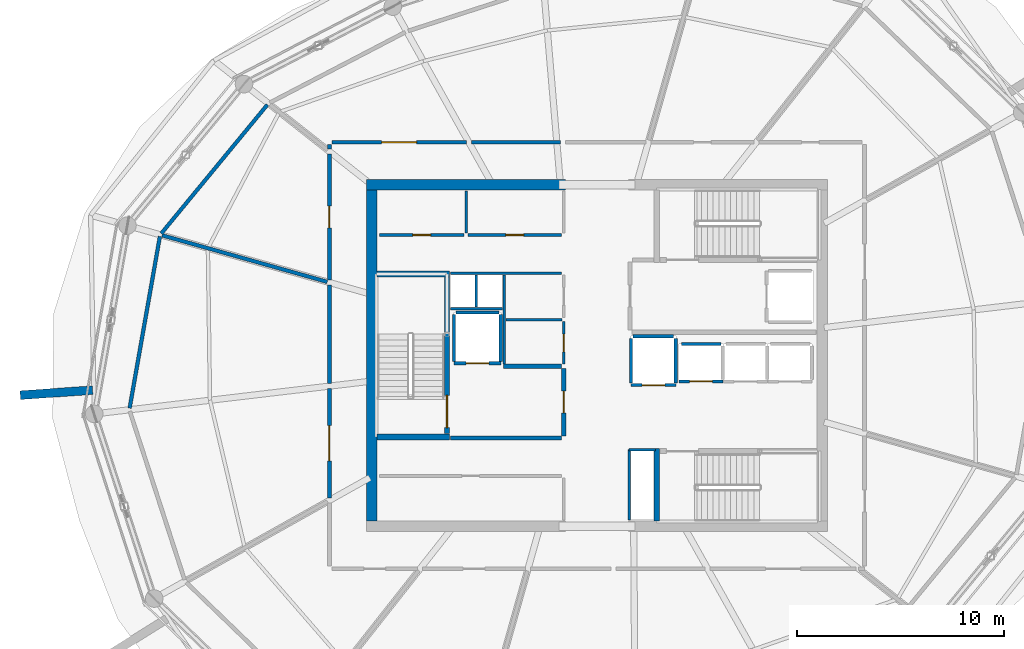
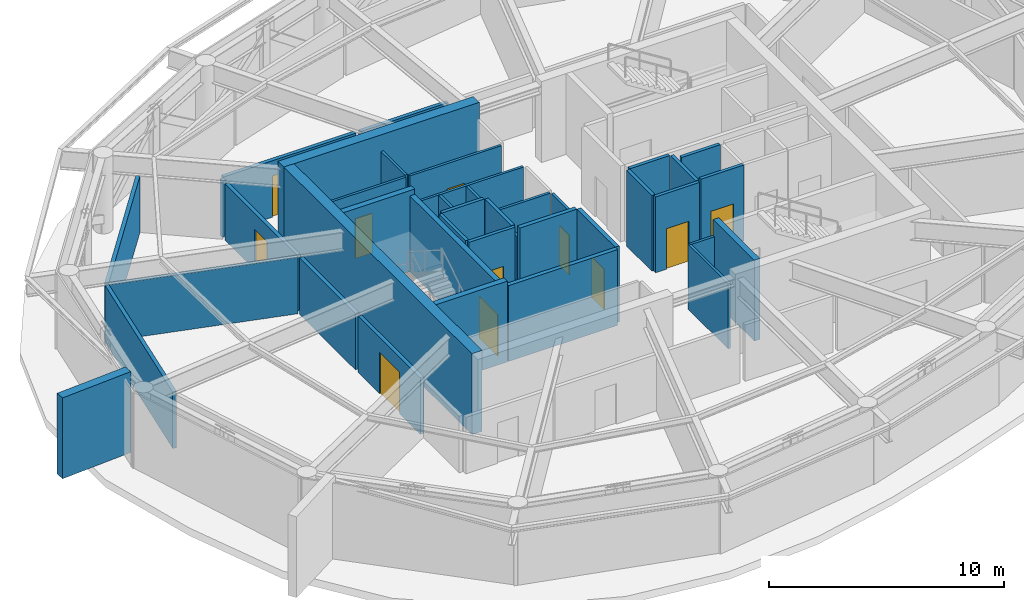
# One storey, part 11 of 14: 40 walls, 11 doors, 11 openings.
"""IFC4 building model written with IfcOpenShell, lengths in metres."""

from ifc_helpers import new_model, si_unit, direction, frame, frame_2d, origin, place, context, subcontext, project, spatial, rectangle, extrude, material, layer, layer_set, type_object, element, fill, save


model = new_model("IFC4")

# Units and contexts
model_context = context("Model", 3, precision=1e-05, world=origin(), true_north=direction((0.0, 1.0)))
body_context = subcontext(model_context, "Body", "Model", "MODEL_VIEW")
ifc_project = project(units=[si_unit("LENGTHUNIT", "METRE"), si_unit("AREAUNIT", "SQUARE_METRE"), si_unit("VOLUMEUNIT", "CUBIC_METRE"), si_unit("PLANEANGLEUNIT", "RADIAN"), si_unit("MASSUNIT", "GRAM", prefix="KILO")], contexts=[model_context])

# Site, building, storey
site_placement = place(None, origin())
site = spatial("IfcSite", under=ifc_project, at=site_placement, CompositionType="ELEMENT")
building_placement = place(site_placement, origin())
building = spatial("IfcBuilding", under=site, at=building_placement, Name="Kazma Halo Residences", CompositionType="ELEMENT")
storey_placement = place(building_placement, frame((0.0, 0.0, 343.10009765625)))
storey = spatial("IfcBuildingStorey", under=building, at=storey_placement, Name="L86", CompositionType="ELEMENT", Elevation=343.10009765625)

# Walls
ifc_material_1 = material(Name="Pale Concrete C60/75", Category="concrete")
ifc_layer_1 = layer(ifc_material_1, 0.419921875)
ifc_layer_set_1 = layer_set([ifc_layer_1], Name="Pale Concrete C60/75")
wall_type_1 = type_object("IfcWallType", Name="WL-BLADE-420", PredefinedType="SOLIDWALL", material=ifc_layer_set_1)
wall_1_placement = place(storey_placement, frame((24.05908203125, 40.325927734375, 0.0), z_axis=(0.0, 0.0, 1.0), x_axis=(-0.997564163539, -0.069754853754, 0.0)))
element("IfcWall", 1, at=wall_1_placement, inside=storey, type_object=wall_type_1, Name="L86 pale concrete structural blade fin wall BW-02", PredefinedType="SOLIDWALL", context=body_context, shape_type="SweptSolid", body=[
    extrude(rectangle(XDim=3.5, YDim=0.419921875, at=frame_2d((1.75, 0.0))), origin(), (0.0, 0.0, 1.0), 4.199951171875),
])
ifc_material_2 = material(Name="Concrete C60/75", Category="concrete")
ifc_layer_2 = layer(ifc_material_2, 0.5)
ifc_layer_set_2 = layer_set([ifc_layer_2], Name="Concrete C60/75")
wall_type_2 = type_object("IfcWallType", Name="WL-CORE-500", PredefinedType="SHEAR", material=ifc_layer_set_2)
wall_2_placement = place(storey_placement, frame((37.300048828125, 50.25, 0.0), z_axis=(0.0, 0.0, 1.0), x_axis=(1.0, 0.0, 0.0)))
element("IfcWall", 2, at=wall_2_placement, inside=storey, type_object=wall_type_2, Name="L86 central core shear wall NW", PredefinedType="SHEAR", context=body_context, shape_type="SweptSolid", body=[
    extrude(rectangle(XDim=9.599853515625, YDim=0.5, at=frame_2d((4.7998046875, 0.0))), origin(), (0.0, 0.0, 1.0), 4.199951171875),
])
wall_3_placement = place(storey_placement, frame((37.550048828125, 34.0, 0.0), z_axis=(0.0, 0.0, 1.0), x_axis=(0.0, 1.0, 0.0)))
element("IfcWall", 3, at=wall_3_placement, inside=storey, type_object=wall_type_2, Name="L86 central core shear wall W", PredefinedType="SHEAR", context=body_context, shape_type="SweptSolid", body=[
    extrude(rectangle(XDim=16.0, YDim=0.5, at=frame_2d((8.0, 0.0))), origin(), (0.0, 0.0, 1.0), 4.199951171875),
])
ifc_layer_3 = layer(ifc_material_2, 0.280029296875)
ifc_layer_set_3 = layer_set([ifc_layer_3], Name="Concrete C60/75")
wall_type_3 = type_object("IfcWallType", Name="WL-CORE-ST-280", PredefinedType="SHEAR", material=ifc_layer_set_3)
for number, where, z_axis, x_axis, name in (
    (4, (37.800048828125, 38.06005859375, 0.0), (0.0, 0.0, 1.0), (1.0, 0.0, 0.0), "L86 stairwell bearing wall ST01-S"),
    (5, (37.800048828125, 45.93994140625, 0.0), (0.0, 0.0, 1.0), (1.0, 0.0, 0.0), "L86 stairwell bearing wall ST01-N"),
    (6, (51.31005859375, 34.0, 0.0), (0.0, 0.0, 1.0), (0.0, 1.0, 0.0), "L86 stairwell bearing wall ST03-W"),
):
    element("IfcWall", number, at=place(storey_placement, frame(where, z_axis=z_axis, x_axis=x_axis)), inside=storey, type_object=wall_type_3, Name=name, PredefinedType="SHEAR", context=body_context, shape_type="SweptSolid", body=[
        extrude(rectangle(XDim=3.5, YDim=0.280029296875, at=frame_2d((1.75, 0.0))), origin(), (0.0, 0.0, 1.0), 4.199951171875),
    ])
ifc_material_3 = material(Name="Acoustic Twin-Stud Gypsum")
ifc_layer_4 = layer(ifc_material_3, 0.179931640625)
ifc_layer_set_4 = layer_set([ifc_layer_4], Name="Acoustic Twin-Stud Gypsum")
wall_type_4 = type_object("IfcWallType", Name="WL-DEM-180", PredefinedType="PARTITIONING", material=ifc_layer_set_4)
wall_4_placement = place(storey_placement, frame((32.50390625, 54.1142578125, 0.0), z_axis=(0.0, 0.0, 1.0), x_axis=(-0.635999094609, -0.771689802743, 0.0)))
element("IfcWall", 7, at=wall_4_placement, inside=storey, type_object=wall_type_4, Name="L86 refuge acoustic perimeter wall 05", PredefinedType="PARTITIONING", context=body_context, shape_type="SweptSolid", body=[
    extrude(rectangle(XDim=8.0625, YDim=0.179931640625, at=frame_2d((4.03125, 0.0))), origin(), (0.0, 0.0, 1.0), 2.932861328125),
])
wall_5_placement = place(storey_placement, frame((27.3115234375, 47.751953125, 0.0), z_axis=(0.0, 0.0, 1.0), x_axis=(-0.173644811024, -0.984808346636, 0.0)))
element("IfcWall", 8, at=wall_5_placement, inside=storey, type_object=wall_type_4, Name="L86 refuge acoustic perimeter wall 06", PredefinedType="PARTITIONING", context=body_context, shape_type="SweptSolid", body=[
    extrude(rectangle(XDim=8.424560546875, YDim=0.179931640625, at=frame_2d((4.21240234375, 0.0))), origin(), (0.0, 0.0, 1.0), 2.932861328125),
])
wall_6_placement = place(storey_placement, frame((46.660888671875, 52.300048828125, 0.0), z_axis=(0.0, 0.0, 1.0), x_axis=(-1.0, 0.0, 0.0)))
element("IfcWall", 9, at=wall_6_placement, inside=storey, type_object=wall_type_4, Name="L86 L86 East Refuge Area corridor wall", PredefinedType="PARTITIONING", context=body_context, shape_type="SweptSolid", body=[
    extrude(rectangle(XDim=4.30908203125, YDim=0.179931640625, at=frame_2d((2.154541015625, 0.0))), origin(), (0.0, 0.0, 1.0), 2.932861328125),
])

# Wall, opening, door
wall_7_placement = place(storey_placement, frame((42.11181640625, 52.300048828125, 0.0), z_axis=(0.0, 0.0, 1.0), x_axis=(-1.0, 0.0, 0.0)))
wall_7 = element("IfcWall", 10, at=wall_7_placement, inside=storey, type_object=wall_type_4, Name="L86 L86 East Refuge Area corridor wall", PredefinedType="PARTITIONING", context=body_context, shape_type="SweptSolid", body=[
    extrude(rectangle(XDim=6.49169921875, YDim=0.179931640625, at=frame_2d((3.245849609375, 0.0))), origin(), (0.0, 0.0, 1.0), 2.932861328125),
])
opening_1_placement = place(wall_7_placement, frame((2.39599609375, 0.0, 0.0)))
opening_1 = element("IfcOpeningElement", 11, at=opening_1_placement, cuts=wall_7, Name="Opening DL-1800", PredefinedType="OPENING", context=body_context, shape_type="SweptSolid", body=[
    extrude(rectangle(XDim=1.699951171875, YDim=2.14990234375, at=frame_2d((0.85009765625, 1.074951171875))), frame((0.0, 0.099853515625, 0.0), z_axis=(0.0, -1.0, 0.0), x_axis=(1.0, 0.0, 0.0)), (0.0, 0.0, 1.0), 0.199951171875),
])
ifc_material_4 = material(Name="Glazed Aluminium Double Leaf", Category="aluminium")
door_type_1 = type_object("IfcDoorType", Name="DR-LGE-1800", OperationType="NOTDEFINED", PredefinedType="DOOR", material=ifc_material_4)
door_1_placement = place(opening_1_placement, origin())
door_1 = element("IfcDoor", 12, at=door_1_placement, inside=storey, type_object=door_type_1, Name="L86 L86 East Refuge Area door", OperationType="DOUBLE_DOOR_SINGLE_SWING", OverallHeight=2.14990234375, OverallWidth=1.699951171875, PredefinedType="DOOR", context=body_context, shape_type="SweptSolid", body=[
    extrude(rectangle(XDim=1.699951171875, YDim=2.14990234375, at=frame_2d((0.85009765625, 1.074951171875))), frame((0.0, 0.02490234375, 0.0), z_axis=(0.0, -1.0, 0.0), x_axis=(1.0, 0.0, 0.0)), (0.0, 0.0, 1.0), 0.050048828125),
])
fill(opening_1, door_1)

# Wall
wall_8_placement = place(storey_placement, frame((35.5, 52.179931640625, 0.0), z_axis=(0.0, 0.0, 1.0), x_axis=(0.0, -1.0, 0.0)))
element("IfcWall", 13, at=wall_8_placement, inside=storey, type_object=wall_type_4, Name="L86 L86 East Refuge Area corridor wall", PredefinedType="PARTITIONING", context=body_context, shape_type="SweptSolid", body=[
    extrude(rectangle(XDim=0.205810546875, YDim=0.179931640625, at=frame_2d((0.10302734375, 0.0))), origin(), (0.0, 0.0, 1.0), 2.932861328125),
])

# Wall, opening, door
wall_9_placement = place(storey_placement, frame((35.5, 51.734130859375, 0.0), z_axis=(0.0, 0.0, 1.0), x_axis=(0.0, -1.0, 0.0)))
wall_9 = element("IfcWall", 14, at=wall_9_placement, inside=storey, type_object=wall_type_4, Name="L86 L86 Chiller Cooling Plant Room corridor wall", PredefinedType="PARTITIONING", context=body_context, shape_type="SweptSolid", body=[
    extrude(rectangle(XDim=6.088623046875, YDim=0.179931640625, at=frame_2d((3.04443359375, 0.0))), origin(), (0.0, 0.0, 1.0), 2.932861328125),
])
opening_2_placement = place(wall_9_placement, frame((2.519287109375, 0.0, 0.0)))
opening_2 = element("IfcOpeningElement", 15, at=opening_2_placement, cuts=wall_9, Name="Opening DF-1050", PredefinedType="OPENING", context=body_context, shape_type="SweptSolid", body=[
    extrude(rectangle(XDim=1.050048828125, YDim=2.10009765625, at=frame_2d((0.52490234375, 1.050048828125))), frame((0.0, 0.099853515625, 0.0), z_axis=(0.0, -1.0, 0.0), x_axis=(1.0, 0.0, 0.0)), (0.0, 0.0, 1.0), 0.199951171875),
])
ifc_material_5 = material(Name="Fire-Rated Steel Leaf", Category="steel")
door_type_2 = type_object("IfcDoorType", Name="DR-FD90-1050", OperationType="NOTDEFINED", PredefinedType="DOOR", material=ifc_material_5)
door_2_placement = place(opening_2_placement, origin())
door_2 = element("IfcDoor", 16, at=door_2_placement, inside=storey, type_object=door_type_2, Name="L86 L86 Chiller Cooling Plant Room door", OperationType="SINGLE_SWING_LEFT", OverallHeight=2.10009765625, OverallWidth=1.050048828125, PredefinedType="DOOR", context=body_context, shape_type="SweptSolid", body=[
    extrude(rectangle(XDim=1.050048828125, YDim=2.10009765625, at=frame_2d((0.52490234375, 1.050048828125))), frame((0.0, 0.02490234375, 0.0), z_axis=(0.0, -1.0, 0.0), x_axis=(1.0, 0.0, 0.0)), (0.0, 0.0, 1.0), 0.050048828125),
])
fill(opening_2, door_2)

# Walls
wall_10_placement = place(storey_placement, frame((35.39404296875, 45.555419921875, 0.0), z_axis=(0.0, 0.0, 1.0), x_axis=(-0.962460337435, 0.2714223625, 0.0)))
element("IfcWall", 17, at=wall_10_placement, inside=storey, type_object=wall_type_4, Name="L86 radial partition wall 06", PredefinedType="PARTITIONING", context=body_context, shape_type="SweptSolid", body=[
    extrude(rectangle(XDim=8.283447265625, YDim=0.179931640625, at=frame_2d((4.1416015625, 0.0))), origin(), (0.0, 0.0, 1.0), 2.932861328125),
])
wall_11_placement = place(storey_placement, frame((35.5, 45.405517578125, 0.0), z_axis=(0.0, 0.0, 1.0), x_axis=(0.0, -1.0, 0.0)))
element("IfcWall", 18, at=wall_11_placement, inside=storey, type_object=wall_type_4, Name="L86 L86 North Refuge Area corridor wall", PredefinedType="PARTITIONING", context=body_context, shape_type="SweptSolid", body=[
    extrude(rectangle(XDim=4.76513671875, YDim=0.179931640625, at=frame_2d((2.382568359375, 0.0))), origin(), (0.0, 0.0, 1.0), 2.932861328125),
])

# Wall, opening, door
wall_12_placement = place(storey_placement, frame((35.5, 40.400390625, 0.0), z_axis=(0.0, 0.0, 1.0), x_axis=(0.0, -1.0, 0.0)))
wall_12 = element("IfcWall", 19, at=wall_12_placement, inside=storey, type_object=wall_type_4, Name="L86 L86 North Refuge Area corridor wall", PredefinedType="PARTITIONING", context=body_context, shape_type="SweptSolid", body=[
    extrude(rectangle(XDim=5.28076171875, YDim=0.179931640625, at=frame_2d((2.640380859375, 0.0))), origin(), (0.0, 0.0, 1.0), 2.932861328125),
])
opening_3_placement = place(wall_12_placement, frame((1.790283203125, 0.0, 0.0)))
opening_3 = element("IfcOpeningElement", 20, at=opening_3_placement, cuts=wall_12, Name="Opening DL-1800", PredefinedType="OPENING", context=body_context, shape_type="SweptSolid", body=[
    extrude(rectangle(XDim=1.699951171875, YDim=2.14990234375, at=frame_2d((0.85009765625, 1.074951171875))), frame((0.0, 0.099853515625, 0.0), z_axis=(0.0, -1.0, 0.0), x_axis=(1.0, 0.0, 0.0)), (0.0, 0.0, 1.0), 0.199951171875),
])
door_3_placement = place(opening_3_placement, origin())
door_3 = element("IfcDoor", 21, at=door_3_placement, inside=storey, type_object=door_type_1, Name="L86 L86 North Refuge Area door", OperationType="DOUBLE_DOOR_SINGLE_SWING", OverallHeight=2.14990234375, OverallWidth=1.699951171875, PredefinedType="DOOR", context=body_context, shape_type="SweptSolid", body=[
    extrude(rectangle(XDim=1.699951171875, YDim=2.14990234375, at=frame_2d((0.85009765625, 1.074951171875))), frame((0.0, 0.02490234375, 0.0), z_axis=(0.0, -1.0, 0.0), x_axis=(1.0, 0.0, 0.0)), (0.0, 0.0, 1.0), 0.050048828125),
])
fill(opening_3, door_3)

ifc_material_6 = material(Name="Fire-Rated Blockwork Masonry", Category="masonry")
ifc_layer_5 = layer(ifc_material_6, 0.199951171875)
ifc_layer_set_5 = layer_set([ifc_layer_5], Name="Fire-Rated Blockwork Masonry")
wall_type_5 = type_object("IfcWallType", Name="WL-FLB-200", PredefinedType="PARTITIONING", material=ifc_layer_set_5)
wall_13_placement = place(storey_placement, frame((54.5048828125, 40.7451171875, 0.0), z_axis=(0.0, 0.0, 1.0), x_axis=(-1.0, 0.0, 0.0)))
wall_13 = element("IfcWall", 22, at=wall_13_placement, inside=storey, type_object=wall_type_5, Name="L86 lift shaft PH-01 front wall", PredefinedType="PARTITIONING", context=body_context, shape_type="SweptSolid", body=[
    extrude(rectangle(XDim=2.10986328125, YDim=0.159912109375, at=frame_2d((1.054931640625, 0.0))), origin(), (0.0, 0.0, 1.0), 3.93994140625),
])
opening_4_placement = place(wall_13_placement, frame((0.5048828125, 0.0, 0.0)))
opening_4 = element("IfcOpeningElement", 23, at=opening_4_placement, cuts=wall_13, Name="Opening LD-PH-01", PredefinedType="OPENING", context=body_context, shape_type="SweptSolid", body=[
    extrude(rectangle(XDim=1.10009765625, YDim=2.10009765625, at=frame_2d((0.550048828125, 1.050048828125))), frame((0.0, 0.08984375, 0.0), z_axis=(0.0, -1.0, 0.0), x_axis=(1.0, 0.0, 0.0)), (0.0, 0.0, 1.0), 0.179931640625),
])
ifc_material_7 = material(Name="Stainless Steel Fire-Rated", Category="steel")
door_type_3 = type_object("IfcDoorType", Name="DR-LIFT-SLD-1100", OperationType="DOUBLE_DOOR_SLIDING", PredefinedType="DOOR", material=ifc_material_7)
door_4_placement = place(opening_4_placement, origin())
door_4 = element("IfcDoor", 24, at=door_4_placement, inside=storey, type_object=door_type_3, Name="L86 lift PH-01 sliding landing door", OperationType="DOUBLE_DOOR_SLIDING", OverallHeight=2.10009765625, OverallWidth=1.10009765625, PredefinedType="DOOR", context=body_context, shape_type="SweptSolid", body=[
    extrude(rectangle(XDim=1.10009765625, YDim=2.10009765625, at=frame_2d((0.550048828125, 1.050048828125))), frame((0.0, 0.02490234375, 0.0), z_axis=(0.0, -1.0, 0.0), x_axis=(1.0, 0.0, 0.0)), (0.0, 0.0, 1.0), 0.050048828125),
])
fill(opening_4, door_4)

# Wall
wall_14_placement = place(storey_placement, frame((52.4951171875, 42.554931640625, 0.0), z_axis=(0.0, 0.0, 1.0), x_axis=(1.0, 0.0, 0.0)))
element("IfcWall", 25, at=wall_14_placement, inside=storey, type_object=wall_type_5, Name="L86 lift shaft PH-01 side wall N", PredefinedType="PARTITIONING", context=body_context, shape_type="SweptSolid", body=[
    extrude(rectangle(XDim=1.909912109375, YDim=0.159912109375, at=frame_2d((0.955078125, 0.0))), origin(), (0.0, 0.0, 1.0), 3.93994140625),
])

# Wall, opening, door
wall_15_placement = place(storey_placement, frame((43.780029296875, 41.6201171875, 0.0), z_axis=(0.0, 0.0, 1.0), x_axis=(-1.0, 0.0, 0.0)))
wall_15 = element("IfcWall", 26, at=wall_15_placement, inside=storey, type_object=wall_type_5, Name="L86 lift shaft FL-01 front wall", PredefinedType="PARTITIONING", context=body_context, shape_type="SweptSolid", body=[
    extrude(rectangle(XDim=2.260009765625, YDim=0.159912109375, at=frame_2d((1.1298828125, 0.0))), origin(), (0.0, 0.0, 1.0), 3.93994140625),
])
opening_5_placement = place(wall_15_placement, frame((0.580078125, 0.0, 0.0)))
opening_5 = element("IfcOpeningElement", 27, at=opening_5_placement, cuts=wall_15, Name="Opening LD-FL-01", PredefinedType="OPENING", context=body_context, shape_type="SweptSolid", body=[
    extrude(rectangle(XDim=1.10009765625, YDim=2.10009765625, at=frame_2d((0.550048828125, 1.050048828125))), frame((0.0, 0.08984375, 0.0), z_axis=(0.0, -1.0, 0.0), x_axis=(1.0, 0.0, 0.0)), (0.0, 0.0, 1.0), 0.179931640625),
])
door_5_placement = place(opening_5_placement, origin())
door_5 = element("IfcDoor", 28, at=door_5_placement, inside=storey, type_object=door_type_3, Name="L86 lift FL-01 sliding landing door", OperationType="DOUBLE_DOOR_SLIDING", OverallHeight=2.10009765625, OverallWidth=1.10009765625, PredefinedType="DOOR", context=body_context, shape_type="SweptSolid", body=[
    extrude(rectangle(XDim=1.10009765625, YDim=2.10009765625, at=frame_2d((0.550048828125, 1.050048828125))), frame((0.0, 0.02490234375, 0.0), z_axis=(0.0, -1.0, 0.0), x_axis=(1.0, 0.0, 0.0)), (0.0, 0.0, 1.0), 0.050048828125),
])
fill(opening_5, door_5)

# Walls
for number, where, z_axis, x_axis, name in (
    (29, (43.780029296875, 41.719970703125, 0.0), (0.0, 0.0, 1.0), (0.0, 1.0, 0.0), "L86 lift shaft FL-01 side wall E"),
    (30, (41.52001953125, 41.719970703125, 0.0), (0.0, 0.0, 1.0), (0.0, 1.0, 0.0), "L86 lift shaft FL-01 side wall W"),
):
    element("IfcWall", number, at=place(storey_placement, frame(where, z_axis=z_axis, x_axis=x_axis)), inside=storey, type_object=wall_type_5, Name=name, PredefinedType="PARTITIONING", context=body_context, shape_type="SweptSolid", body=[
        extrude(rectangle(XDim=2.260009765625, YDim=0.159912109375, at=frame_2d((1.1298828125, 0.0))), origin(), (0.0, 0.0, 1.0), 3.93994140625),
    ])
wall_16_placement = place(storey_placement, frame((41.6201171875, 44.080078125, 0.0), z_axis=(0.0, 0.0, 1.0), x_axis=(1.0, 0.0, 0.0)))
element("IfcWall", 31, at=wall_16_placement, inside=storey, type_object=wall_type_5, Name="L86 lift shaft FL-01 side wall N", PredefinedType="PARTITIONING", context=body_context, shape_type="SweptSolid", body=[
    extrude(rectangle(XDim=2.059814453125, YDim=0.159912109375, at=frame_2d((1.02978515625, 0.0))), origin(), (0.0, 0.0, 1.0), 3.93994140625),
])

# Wall, opening, door
wall_17_placement = place(storey_placement, frame((52.22998046875, 40.570068359375, 0.0), z_axis=(0.0, 0.0, 1.0), x_axis=(-1.0, 0.0, 0.0)))
wall_17 = element("IfcWall", 32, at=wall_17_placement, inside=storey, type_object=wall_type_5, Name="L86 lift shaft SV-01 front wall", PredefinedType="PARTITIONING", context=body_context, shape_type="SweptSolid", body=[
    extrude(rectangle(XDim=2.159912109375, YDim=0.159912109375, at=frame_2d((1.080078125, 0.0))), origin(), (0.0, 0.0, 1.0), 3.93994140625),
])
opening_6_placement = place(wall_17_placement, frame((0.530029296875, 0.0, 0.0)))
opening_6 = element("IfcOpeningElement", 33, at=opening_6_placement, cuts=wall_17, Name="Opening LD-SV-01", PredefinedType="OPENING", context=body_context, shape_type="SweptSolid", body=[
    extrude(rectangle(XDim=1.10009765625, YDim=2.10009765625, at=frame_2d((0.550048828125, 1.050048828125))), frame((0.0, 0.08984375, 0.0), z_axis=(0.0, -1.0, 0.0), x_axis=(1.0, 0.0, 0.0)), (0.0, 0.0, 1.0), 0.179931640625),
])
door_6_placement = place(opening_6_placement, origin())
door_6 = element("IfcDoor", 34, at=door_6_placement, inside=storey, type_object=door_type_3, Name="L86 lift SV-01 sliding landing door", OperationType="DOUBLE_DOOR_SLIDING", OverallHeight=2.10009765625, OverallWidth=1.10009765625, PredefinedType="DOOR", context=body_context, shape_type="SweptSolid", body=[
    extrude(rectangle(XDim=1.10009765625, YDim=2.10009765625, at=frame_2d((0.550048828125, 1.050048828125))), frame((0.0, 0.02490234375, 0.0), z_axis=(0.0, -1.0, 0.0), x_axis=(1.0, 0.0, 0.0)), (0.0, 0.0, 1.0), 0.050048828125),
])
fill(opening_6, door_6)

# Walls
for number, where, z_axis, x_axis, name in (
    (35, (52.22998046875, 40.669921875, 0.0), (0.0, 0.0, 1.0), (0.0, 1.0, 0.0), "L86 lift shaft SV-01 side wall E"),
    (36, (50.070068359375, 40.669921875, 0.0), (0.0, 0.0, 1.0), (0.0, 1.0, 0.0), "L86 lift shaft SV-01 side wall W"),
):
    element("IfcWall", number, at=place(storey_placement, frame(where, z_axis=z_axis, x_axis=x_axis)), inside=storey, type_object=wall_type_5, Name=name, PredefinedType="PARTITIONING", context=body_context, shape_type="SweptSolid", body=[
        extrude(rectangle(XDim=2.16015625, YDim=0.159912109375, at=frame_2d((1.080078125, 0.0))), origin(), (0.0, 0.0, 1.0), 3.93994140625),
    ])
wall_18_placement = place(storey_placement, frame((50.169921875, 42.929931640625, 0.0), z_axis=(0.0, 0.0, 1.0), x_axis=(1.0, 0.0, 0.0)))
element("IfcWall", 37, at=wall_18_placement, inside=storey, type_object=wall_type_5, Name="L86 lift shaft SV-01 side wall N", PredefinedType="PARTITIONING", context=body_context, shape_type="SweptSolid", body=[
    extrude(rectangle(XDim=1.9599609375, YDim=0.159912109375, at=frame_2d((0.97998046875, 0.0))), origin(), (0.0, 0.0, 1.0), 3.93994140625),
])
wall_19_placement = place(storey_placement, frame((41.35009765625, 38.02001953125, 0.0), z_axis=(0.0, 0.0, 1.0), x_axis=(1.0, 0.0, 0.0)))
element("IfcWall", 38, at=wall_19_placement, inside=storey, type_object=wall_type_5, Name="L86 west firefighting lobby south smoke wall", PredefinedType="PARTITIONING", context=body_context, shape_type="SweptSolid", body=[
    extrude(rectangle(XDim=5.369873046875, YDim=0.199951171875, at=frame_2d((2.68505859375, 0.0))), origin(), (0.0, 0.0, 1.0), 3.93994140625),
])
wall_20_placement = place(storey_placement, frame((43.919921875, 41.47998046875, 0.0), z_axis=(0.0, 0.0, 1.0), x_axis=(1.0, 0.0, 0.0)))
element("IfcWall", 39, at=wall_20_placement, inside=storey, type_object=wall_type_5, Name="L86 west firefighting lobby north smoke wall", PredefinedType="PARTITIONING", context=body_context, shape_type="SweptSolid", body=[
    extrude(rectangle(XDim=2.800048828125, YDim=0.199951171875, at=frame_2d((1.39990234375, 0.0))), origin(), (0.0, 0.0, 1.0), 3.93994140625),
])

# Wall, opening, door
wall_21_placement = place(storey_placement, frame((46.820068359375, 38.1201171875, 0.0), z_axis=(0.0, 0.0, 1.0), x_axis=(0.0, 1.0, 0.0)))
wall_21 = element("IfcWall", 40, at=wall_21_placement, inside=storey, type_object=wall_type_5, Name="L86 west firefighting lobby smoke wall", PredefinedType="PARTITIONING", context=body_context, shape_type="SweptSolid", body=[
    extrude(rectangle(XDim=3.259765625, YDim=0.199951171875, at=frame_2d((1.6298828125, 0.0))), origin(), (0.0, 0.0, 1.0), 3.93994140625),
])
opening_7_placement = place(wall_21_placement, frame((1.10498046875, 0.0, 0.0)))
opening_7 = element("IfcOpeningElement", 41, at=opening_7_placement, cuts=wall_21, Name="Opening D-FLW", PredefinedType="OPENING", context=body_context, shape_type="SweptSolid", body=[
    extrude(rectangle(XDim=1.050048828125, YDim=2.10009765625, at=frame_2d((0.52490234375, 1.050048828125))), frame((0.0, 0.10986328125, 0.0), z_axis=(0.0, -1.0, 0.0), x_axis=(1.0, 0.0, 0.0)), (0.0, 0.0, 1.0), 0.219970703125),
])
door_7_placement = place(opening_7_placement, origin())
door_7 = element("IfcDoor", 42, at=door_7_placement, inside=storey, type_object=door_type_2, Name="L86 west firefighting lobby smoke door", OperationType="SINGLE_SWING_LEFT", OverallHeight=2.10009765625, OverallWidth=1.050048828125, PredefinedType="DOOR", context=body_context, shape_type="SweptSolid", body=[
    extrude(rectangle(XDim=1.050048828125, YDim=2.10009765625, at=frame_2d((0.52490234375, 1.050048828125))), frame((0.0, 0.02490234375, 0.0), z_axis=(0.0, -1.0, 0.0), x_axis=(1.0, 0.0, 0.0)), (0.0, 0.0, 1.0), 0.050048828125),
])
fill(opening_7, door_7)

# Wall
ifc_material_8 = material(Name="Gypsum Plasterboard Partition")
ifc_layer_6 = layer(ifc_material_8, 0.125)
ifc_layer_set_6 = layer_set([ifc_layer_6], Name="Gypsum Plasterboard Partition")
wall_type_6 = type_object("IfcWallType", Name="WL-PART-125", PredefinedType="PARTITIONING", material=ifc_layer_set_6)
wall_22_placement = place(storey_placement, frame((42.10009765625, 47.919921875, 0.0), z_axis=(0.0, 0.0, 1.0), x_axis=(0.0, 1.0, 0.0)))
element("IfcWall", 43, at=wall_22_placement, inside=storey, type_object=wall_type_6, Name="L86 reclaimed north divider wall", PredefinedType="PARTITIONING", context=body_context, shape_type="SweptSolid", body=[
    extrude(rectangle(XDim=2.030029296875, YDim=0.125, at=frame_2d((1.01513671875, 0.0))), origin(), (0.0, 0.0, 1.0), 3.3798828125),
])

# Wall, opening, door
wall_23_placement = place(storey_placement, frame((37.919921875, 47.820068359375, 0.0), z_axis=(0.0, 0.0, 1.0), x_axis=(1.0, 0.0, 0.0)))
wall_23 = element("IfcWall", 44, at=wall_23_placement, inside=storey, type_object=wall_type_6, Name="L86 reclaimed north W front wall", PredefinedType="PARTITIONING", context=body_context, shape_type="SweptSolid", body=[
    extrude(rectangle(XDim=4.080078125, YDim=0.125, at=frame_2d((2.0400390625, 0.0))), origin(), (0.0, 0.0, 1.0), 3.3798828125),
])
opening_8_placement = place(wall_23_placement, frame((1.614990234375, 0.0, 0.0)))
opening_8 = element("IfcOpeningElement", 45, at=opening_8_placement, cuts=wall_23, Name="Opening DS-850", PredefinedType="OPENING", context=body_context, shape_type="SweptSolid", body=[
    extrude(rectangle(XDim=0.85009765625, YDim=2.06005859375, at=frame_2d((0.425048828125, 1.030029296875))), frame((0.0, 0.072509765625, 0.0), z_axis=(0.0, -1.0, 0.0), x_axis=(1.0, 0.0, 0.0)), (0.0, 0.0, 1.0), 0.14501953125),
])
ifc_material_9 = material(Name="Painted Steel Access Leaf", Category="steel")
door_type_4 = type_object("IfcDoorType", Name="DR-SVC-850", OperationType="NOTDEFINED", PredefinedType="DOOR", material=ifc_material_9)
door_8_placement = place(opening_8_placement, origin())
door_8 = element("IfcDoor", 46, at=door_8_placement, inside=storey, type_object=door_type_4, Name="L86 reclaimed north W door", OperationType="SINGLE_SWING_RIGHT", OverallHeight=2.06005859375, OverallWidth=0.85009765625, PredefinedType="DOOR", context=body_context, shape_type="SweptSolid", body=[
    extrude(rectangle(XDim=0.85009765625, YDim=2.06005859375, at=frame_2d((0.425048828125, 1.030029296875))), frame((0.0, 0.02490234375, 0.0), z_axis=(0.0, -1.0, 0.0), x_axis=(1.0, 0.0, 0.0)), (0.0, 0.0, 1.0), 0.050048828125),
])
fill(opening_8, door_8)

wall_24_placement = place(storey_placement, frame((42.199951171875, 47.820068359375, 0.0), z_axis=(0.0, 0.0, 1.0), x_axis=(1.0, 0.0, 0.0)))
wall_24 = element("IfcWall", 47, at=wall_24_placement, inside=storey, type_object=wall_type_6, Name="L86 reclaimed north E front wall", PredefinedType="PARTITIONING", context=body_context, shape_type="SweptSolid", body=[
    extrude(rectangle(XDim=4.5, YDim=0.125, at=frame_2d((2.25, 0.0))), origin(), (0.0, 0.0, 1.0), 3.3798828125),
])
opening_9_placement = place(wall_24_placement, frame((1.824951171875, 0.0, 0.0)))
opening_9 = element("IfcOpeningElement", 48, at=opening_9_placement, cuts=wall_24, Name="Opening DS-850", PredefinedType="OPENING", context=body_context, shape_type="SweptSolid", body=[
    extrude(rectangle(XDim=0.85009765625, YDim=2.06005859375, at=frame_2d((0.425048828125, 1.030029296875))), frame((0.0, 0.072509765625, 0.0), z_axis=(0.0, -1.0, 0.0), x_axis=(1.0, 0.0, 0.0)), (0.0, 0.0, 1.0), 0.14501953125),
])
door_9_placement = place(opening_9_placement, origin())
door_9 = element("IfcDoor", 49, at=door_9_placement, inside=storey, type_object=door_type_4, Name="L86 reclaimed north E door", OperationType="SINGLE_SWING_LEFT", OverallHeight=2.06005859375, OverallWidth=0.85009765625, PredefinedType="DOOR", context=body_context, shape_type="SweptSolid", body=[
    extrude(rectangle(XDim=0.85009765625, YDim=2.06005859375, at=frame_2d((0.425048828125, 1.030029296875))), frame((0.0, 0.02490234375, 0.0), z_axis=(0.0, -1.0, 0.0), x_axis=(1.0, 0.0, 0.0)), (0.0, 0.0, 1.0), 0.050048828125),
])
fill(opening_9, door_9)

# Walls
wall_25_placement = place(storey_placement, frame((41.360107421875, 45.97998046875, 0.0), z_axis=(0.0, 0.0, 1.0), x_axis=(1.0, 0.0, 0.0)))
element("IfcWall", 50, at=wall_25_placement, inside=storey, type_object=wall_type_6, Name="L86 core north riser wall", PredefinedType="PARTITIONING", context=body_context, shape_type="SweptSolid", body=[
    extrude(rectangle(XDim=5.35986328125, YDim=0.125, at=frame_2d((2.679931640625, 0.0))), origin(), (0.0, 0.0, 1.0), 3.3798828125),
])
wall_26_placement = place(storey_placement, frame((41.360107421875, 44.260009765625, 0.0), z_axis=(0.0, 0.0, 1.0), x_axis=(1.0, 0.0, 0.0)))
element("IfcWall", 51, at=wall_26_placement, inside=storey, type_object=wall_type_6, Name="L86 core riser south wall", PredefinedType="PARTITIONING", context=body_context, shape_type="SweptSolid", body=[
    extrude(rectangle(XDim=2.5, YDim=0.125, at=frame_2d((1.25, 0.0))), origin(), (0.0, 0.0, 1.0), 3.3798828125),
])
wall_27_placement = place(storey_placement, frame((42.60009765625, 44.35009765625, 0.0), z_axis=(0.0, 0.0, 1.0), x_axis=(0.0, 1.0, 0.0)))
element("IfcWall", 52, at=wall_27_placement, inside=storey, type_object=wall_type_6, Name="L86 core riser divider wall", PredefinedType="PARTITIONING", context=body_context, shape_type="SweptSolid", body=[
    extrude(rectangle(XDim=1.5498046875, YDim=0.125, at=frame_2d((0.77490234375, 0.0))), origin(), (0.0, 0.0, 1.0), 3.3798828125),
])
wall_28_placement = place(storey_placement, frame((49.97998046875, 34.06005859375, 0.0), z_axis=(0.0, 0.0, 1.0), x_axis=(0.0, 1.0, 0.0)))
element("IfcWall", 53, at=wall_28_placement, inside=storey, type_object=wall_type_6, Name="L86 standpipe riser wall", PredefinedType="PARTITIONING", context=body_context, shape_type="SweptSolid", body=[
    extrude(rectangle(XDim=3.39990234375, YDim=0.125, at=frame_2d((1.699951171875, 0.0))), origin(), (0.0, 0.0, 1.0), 3.3798828125),
])
wall_29_placement = place(storey_placement, frame((49.97998046875, 37.43994140625, 0.0), z_axis=(0.0, 0.0, 1.0), x_axis=(1.0, 0.0, 0.0)))
element("IfcWall", 54, at=wall_29_placement, inside=storey, type_object=wall_type_6, Name="L86 standpipe riser north wall", PredefinedType="PARTITIONING", context=body_context, shape_type="SweptSolid", body=[
    extrude(rectangle(XDim=1.260009765625, YDim=0.125, at=frame_2d((0.6298828125, 0.0))), origin(), (0.0, 0.0, 1.0), 3.3798828125),
])
wall_30_placement = place(storey_placement, frame((43.949951171875, 41.580078125, 0.0), z_axis=(0.0, 0.0, 1.0), x_axis=(0.0, 1.0, 0.0)))
element("IfcWall", 55, at=wall_30_placement, inside=storey, type_object=wall_type_6, Name="L86 core service west wall", PredefinedType="PARTITIONING", context=body_context, shape_type="SweptSolid", body=[
    extrude(rectangle(XDim=4.31982421875, YDim=0.125, at=frame_2d((2.159912109375, 0.0))), origin(), (0.0, 0.0, 1.0), 3.3798828125),
])
wall_31_placement = place(storey_placement, frame((44.030029296875, 43.72998046875, 0.0), z_axis=(0.0, 0.0, 1.0), x_axis=(1.0, 0.0, 0.0)))
element("IfcWall", 56, at=wall_31_placement, inside=storey, type_object=wall_type_6, Name="L86 switch/IDF divider", PredefinedType="PARTITIONING", context=body_context, shape_type="SweptSolid", body=[
    extrude(rectangle(XDim=2.7099609375, YDim=0.125, at=frame_2d((1.35498046875, 0.0))), origin(), (0.0, 0.0, 1.0), 3.3798828125),
])

# Wall, opening, door
wall_32_placement = place(storey_placement, frame((46.820068359375, 41.580078125, 0.0), z_axis=(0.0, 0.0, 1.0), x_axis=(0.0, 1.0, 0.0)))
wall_32 = element("IfcWall", 57, at=wall_32_placement, inside=storey, type_object=wall_type_6, Name="L86 electrical switch room east wall", PredefinedType="PARTITIONING", context=body_context, shape_type="SweptSolid", body=[
    extrude(rectangle(XDim=2.0498046875, YDim=0.125, at=frame_2d((1.02490234375, 0.0))), origin(), (0.0, 0.0, 1.0), 3.3798828125),
])
opening_10_placement = place(wall_32_placement, frame((0.60009765625, 0.0, 0.0)))
opening_10 = element("IfcOpeningElement", 58, at=opening_10_placement, cuts=wall_32, Name="Opening DS-850", PredefinedType="OPENING", context=body_context, shape_type="SweptSolid", body=[
    extrude(rectangle(XDim=0.85009765625, YDim=2.06005859375, at=frame_2d((0.425048828125, 1.030029296875))), frame((0.0, 0.072509765625, 0.0), z_axis=(0.0, -1.0, 0.0), x_axis=(1.0, 0.0, 0.0)), (0.0, 0.0, 1.0), 0.14501953125),
])
door_10_placement = place(opening_10_placement, origin())
door_10 = element("IfcDoor", 59, at=door_10_placement, inside=storey, type_object=door_type_4, Name="L86 electrical switch room door", OperationType="SINGLE_SWING_LEFT", OverallHeight=2.06005859375, OverallWidth=0.85009765625, PredefinedType="DOOR", context=body_context, shape_type="SweptSolid", body=[
    extrude(rectangle(XDim=0.85009765625, YDim=2.06005859375, at=frame_2d((0.425048828125, 1.030029296875))), frame((0.0, 0.02490234375, 0.0), z_axis=(0.0, -1.0, 0.0), x_axis=(1.0, 0.0, 0.0)), (0.0, 0.0, 1.0), 0.050048828125),
])
fill(opening_10, door_10)

ifc_material_10 = material(Name="Concrete C50/60", Category="concrete")
ifc_layer_7 = layer(ifc_material_10, 0.25)
ifc_layer_set_7 = layer_set([ifc_layer_7], Name="Concrete C50/60")
wall_type_7 = type_object("IfcWallType", Name="WL-SHF-250", PredefinedType="SOLIDWALL", material=ifc_layer_set_7)
wall_33_placement = place(storey_placement, frame((41.179931640625, 38.219970703125, 0.0), z_axis=(0.0, 0.0, 1.0), x_axis=(0.0, 1.0, 0.0)))
wall_33 = element("IfcWall", 60, at=wall_33_placement, inside=storey, type_object=wall_type_7, Name="L86 exit stair ST-01 enclosure wall", PredefinedType="SOLIDWALL", context=body_context, shape_type="SweptSolid", body=[
    extrude(rectangle(XDim=7.56005859375, YDim=0.25, at=frame_2d((3.780029296875, 0.0))), origin(), (0.0, 0.0, 1.0), 3.93994140625),
])
opening_11_placement = place(wall_33_placement, frame((0.300048828125, 0.0, 0.0)))
opening_11 = element("IfcOpeningElement", 61, at=opening_11_placement, cuts=wall_33, Name="Opening D-ST1", PredefinedType="OPENING", context=body_context, shape_type="SweptSolid", body=[
    extrude(rectangle(XDim=1.550048828125, YDim=2.14990234375, at=frame_2d((0.77490234375, 1.074951171875))), frame((0.0, 0.135009765625, 0.0), z_axis=(0.0, -1.0, 0.0), x_axis=(1.0, 0.0, 0.0)), (0.0, 0.0, 1.0), 0.27001953125),
])
ifc_material_11 = material(Name="Fire-Rated Double Steel Leaf", Category="steel")
door_type_5 = type_object("IfcDoorType", Name="DR-FD90-1550", OperationType="NOTDEFINED", PredefinedType="DOOR", material=ifc_material_11)
door_11_placement = place(opening_11_placement, origin())
door_11 = element("IfcDoor", 62, at=door_11_placement, inside=storey, type_object=door_type_5, Name="L86 exit stair ST-01 fire door", OperationType="DOUBLE_DOOR_SINGLE_SWING", OverallHeight=2.14990234375, OverallWidth=1.550048828125, PredefinedType="DOOR", context=body_context, shape_type="SweptSolid", body=[
    extrude(rectangle(XDim=1.550048828125, YDim=2.14990234375, at=frame_2d((0.77490234375, 1.074951171875))), frame((0.0, 0.02490234375, 0.0), z_axis=(0.0, -1.0, 0.0), x_axis=(1.0, 0.0, 0.0)), (0.0, 0.0, 1.0), 0.050048828125),
])
fill(opening_11, door_11)

save(model, "model.ifc")
